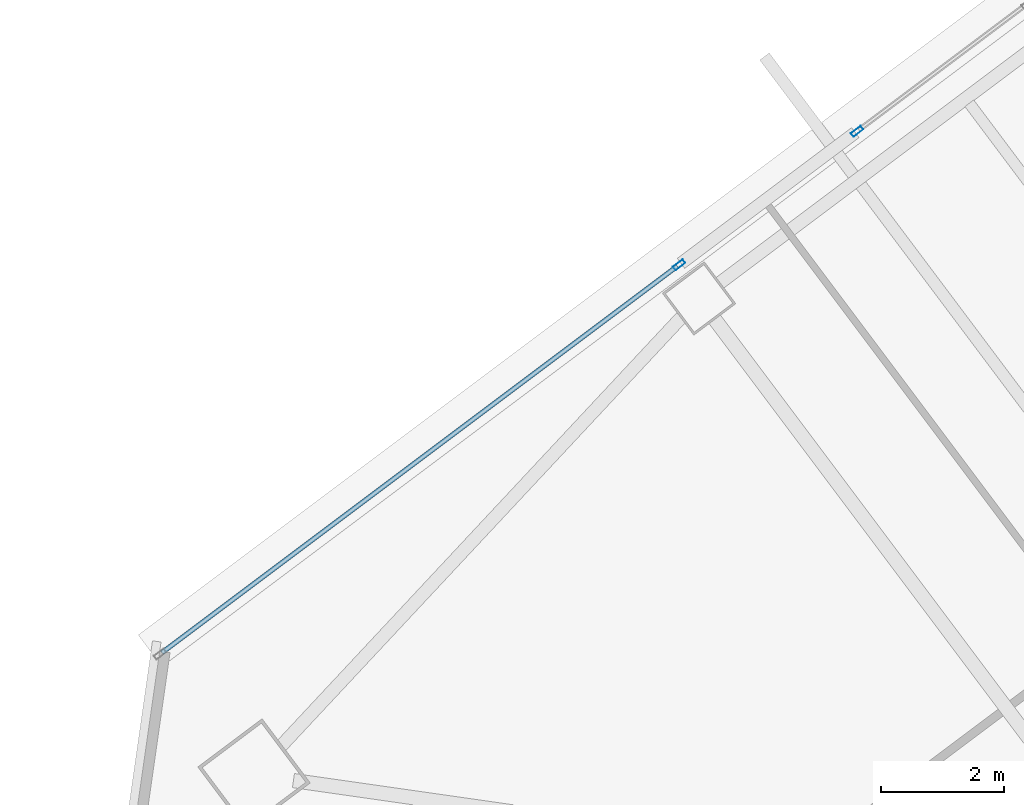
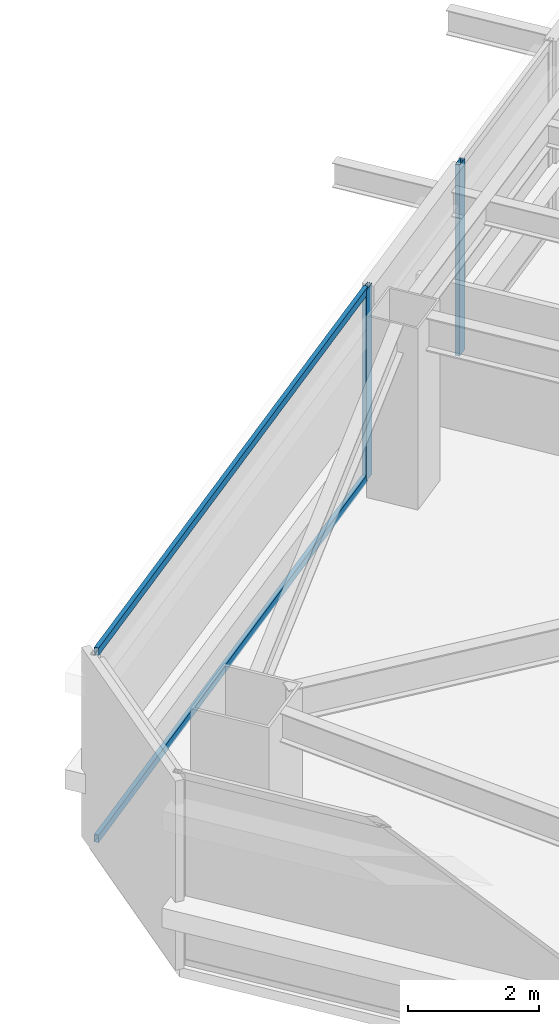
# One storey, part 26 of 42: 4 members, 2 elements without a shape of their own.
"""IFC4 building model written with IfcOpenShell, lengths in metres."""

from ifc_helpers import new_model, si_unit, direction, frame, origin, origin_2d, place, context, subcontext, project, spatial, hollow_rectangle, extrude, material, material_profile, profile_set, type_object, element, aggregate, save


model = new_model("IFC4")

# Units and contexts
model_context = context("Model", 3, precision=1e-05, world=origin(), true_north=direction((0.0, 1.0)))
body_context = subcontext(model_context, "Body", "Model", "MODEL_VIEW")
ifc_project = project(units=[si_unit("LENGTHUNIT", "METRE"), si_unit("AREAUNIT", "SQUARE_METRE"), si_unit("VOLUMEUNIT", "CUBIC_METRE"), si_unit("PLANEANGLEUNIT", "RADIAN"), si_unit("MASSUNIT", "GRAM", prefix="KILO")], contexts=[model_context])

# Site, building, storey
site_placement = place(None, origin())
site = spatial("IfcSite", under=ifc_project, at=site_placement, CompositionType="ELEMENT")
building_placement = place(site_placement, origin())
building = spatial("IfcBuilding", under=site, at=building_placement, Name="Tashvorn Skyway Center", CompositionType="ELEMENT")
storey_placement = place(building_placement, frame((0.0, 0.0, 121.5)))
storey = spatial("IfcBuildingStorey", under=building, at=storey_placement, Name="L32", CompositionType="ELEMENT", Elevation=121.5)

# Curtain wall, member
ifc_material = material(Name="Thermally broken bronze-anodized aluminium 6063-T6", Category="aluminium")
curtain_wall_type = type_object("IfcCurtainWallType", Name="CW-CW-Z3", PredefinedType="NOTDEFINED", material=ifc_material)
curtain_wall_1_placement = place(storey_placement, origin())
curtain_wall_1 = element("IfcCurtainWall", 1, at=curtain_wall_1_placement, inside=storey, type_object=curtain_wall_type, Name="Tower 2 L32 North Unitised Curtain Wall Glazing Group 1", PredefinedType="NOTDEFINED")
ifc_material_profile_1 = material_profile(ifc_material, hollow_rectangle(XDim=0.074951171875, YDim=0.199951171875, WallThickness=0.00439453125, at=origin_2d()), Name="ALU-MULL-75x200")
ifc_profile_set_1 = profile_set([ifc_material_profile_1], Name="Thermally broken bronze-anodized aluminium 6063-T6")
member_type_1 = type_object("IfcMemberType", Name="CWM-CW-Z3", PredefinedType="MULLION", material=ifc_profile_set_1)
member_1_placement = place(storey_placement, frame((98.767333984375, 43.425537109375, 0.0), z_axis=(0.0, 0.0, 1.0), x_axis=(-0.600001511345, 0.799998866489, 0.0)))
member_1 = element("IfcMember", 2, at=member_1_placement, type_object=member_type_1, Name="CW-Z3 mullion 2", PredefinedType="MULLION", context=body_context, shape_type="SweptSolid", body=[
    extrude(hollow_rectangle(XDim=0.074951171875, YDim=0.199951171875, WallThickness=0.00439453125, at=origin_2d()), origin(), (0.0, 0.0, 1.0), 3.550048828125),
])

curtain_wall_2_placement = place(storey_placement, origin())
curtain_wall_2 = element("IfcCurtainWall", 3, at=curtain_wall_2_placement, inside=storey, type_object=curtain_wall_type, Name="Tower 2 L32 North Unitised Curtain Wall Glazing Group 2", PredefinedType="NOTDEFINED")
member_2_placement = place(storey_placement, frame((101.650390625, 45.587890625, 0.0), z_axis=(0.0, 0.0, 1.0), x_axis=(-0.600000000002, 0.799999999998, 0.0)))
member_2 = element("IfcMember", 4, at=member_2_placement, type_object=member_type_1, Name="CW-Z3 mullion 1", PredefinedType="MULLION", context=body_context, shape_type="SweptSolid", body=[
    extrude(hollow_rectangle(XDim=0.074951171875, YDim=0.199951171875, WallThickness=0.00439453125, at=origin_2d()), origin(), (0.0, 0.0, 1.0), 3.550048828125),
])
aggregate(curtain_wall_2, [member_2])

# Member
ifc_material_profile_2 = material_profile(ifc_material, hollow_rectangle(XDim=0.074951171875, YDim=0.139892578125, WallThickness=0.004150390625, at=origin_2d()), Name="ALU-TRAN-75x140")
ifc_profile_set_2 = profile_set([ifc_material_profile_2], Name="Thermally broken bronze-anodized aluminium 6063-T6")
member_type_2 = type_object("IfcMemberType", Name="CWT-CW-Z3", PredefinedType="USERDEFINED", material=ifc_profile_set_2)
member_3_placement = place(storey_placement, frame((90.387939453125, 37.14111328125, 0.03759765625), z_axis=(0.800002807101, 0.599996257181, 0.0), x_axis=(-0.599996257181, 0.800002807101, 0.0)))
member_3 = element("IfcMember", 5, at=member_3_placement, type_object=member_type_2, Name="CW-Z3 transom 1.1", ObjectType="TRANSOM", PredefinedType="USERDEFINED", context=body_context, shape_type="SweptSolid", body=[
    extrude(hollow_rectangle(XDim=0.074951171875, YDim=0.139892578125, WallThickness=0.004150390625, at=origin_2d()), origin(), (0.0, 0.0, 1.0), 10.436767578125),
])

member_4_placement = place(storey_placement, frame((90.387939453125, 37.14111328125, 3.512451171875), z_axis=(0.800002807101, 0.599996257181, 0.0), x_axis=(-0.599996257181, 0.800002807101, 0.0)))
member_4 = element("IfcMember", 6, at=member_4_placement, type_object=member_type_2, Name="CW-Z3 transom 1.2", ObjectType="TRANSOM", PredefinedType="USERDEFINED", context=body_context, shape_type="SweptSolid", body=[
    extrude(hollow_rectangle(XDim=0.074951171875, YDim=0.139892578125, WallThickness=0.004150390625, at=origin_2d()), origin(), (0.0, 0.0, 1.0), 10.436767578125),
])

aggregate(curtain_wall_1, [member_1, member_3, member_4])

save(model, "model.ifc")
